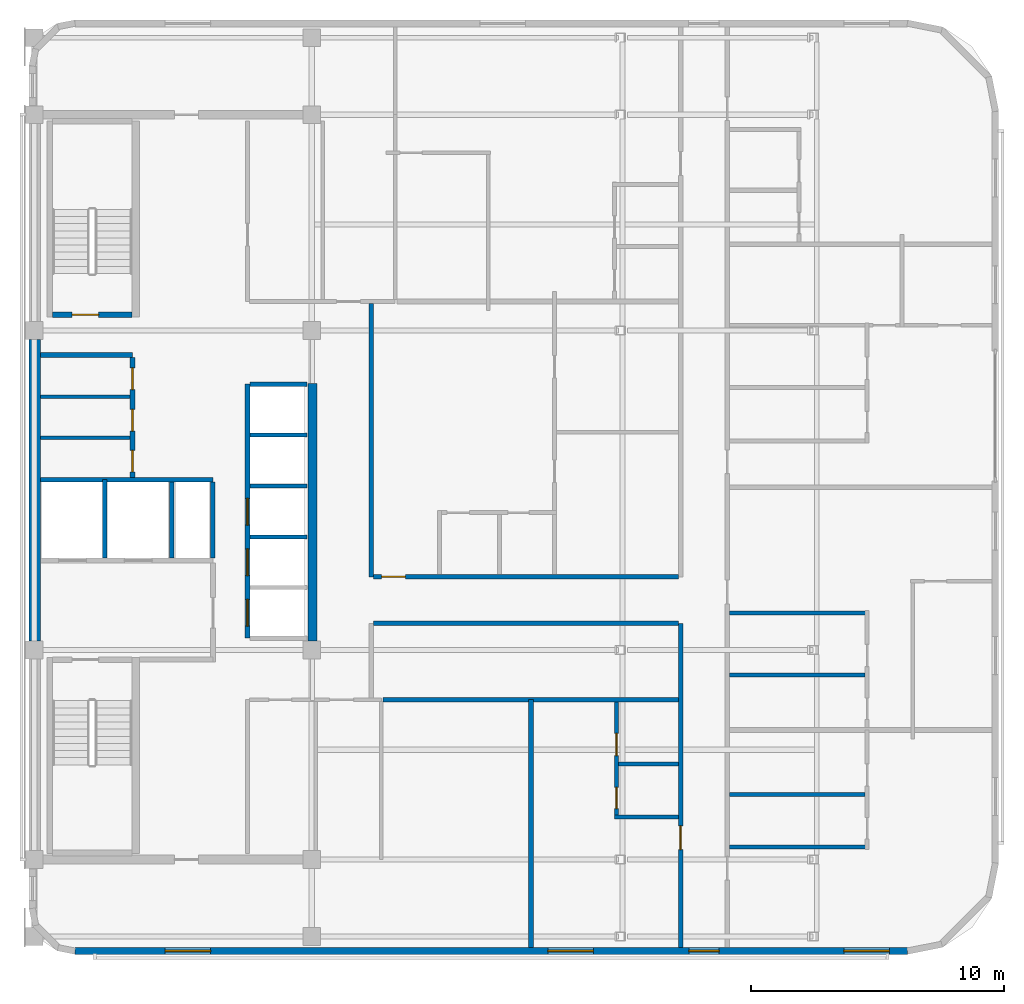
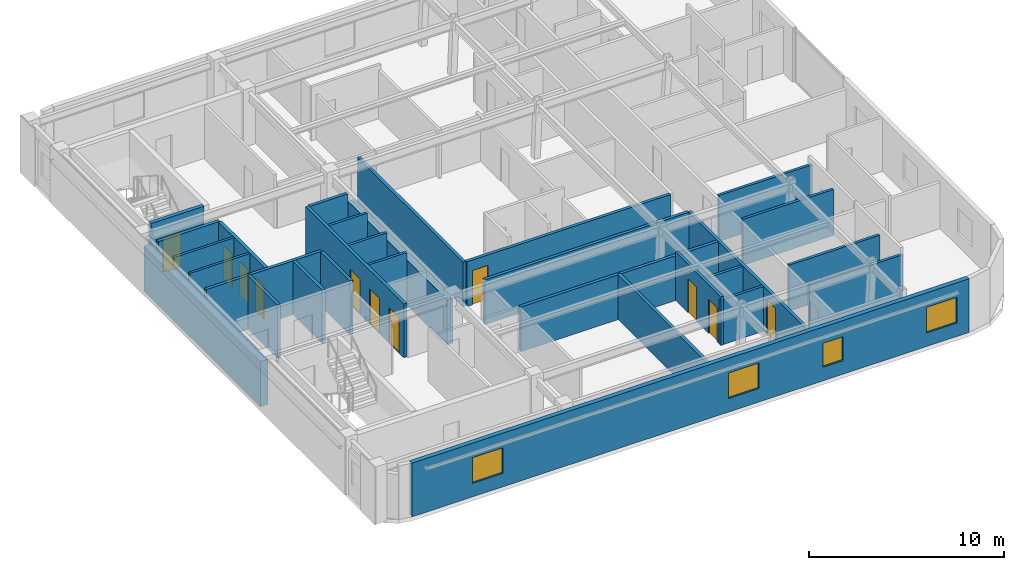
# One storey, part 4 of 10: 30 walls, 11 doors, 4 windows, 15 openings.
"""IFC4 building model written with IfcOpenShell, lengths in metres."""

from ifc_helpers import new_model, si_unit, direction, frame, frame_2d, origin, place, context, subcontext, project, spatial, rectangle, extrude, material, layer, layer_set, type_object, element, fill, save


model = new_model("IFC4")

# Units and contexts
model_context = context("Model", 3, precision=1e-05, world=origin(), true_north=direction((0.0, 1.0)))
body_context = subcontext(model_context, "Body", "Model", "MODEL_VIEW")
ifc_project = project(units=[si_unit("LENGTHUNIT", "METRE"), si_unit("AREAUNIT", "SQUARE_METRE"), si_unit("VOLUMEUNIT", "CUBIC_METRE"), si_unit("PLANEANGLEUNIT", "RADIAN"), si_unit("MASSUNIT", "GRAM", prefix="KILO")], contexts=[model_context])

# Site, building, storey
site_placement = place(None, origin())
site = spatial("IfcSite", under=ifc_project, at=site_placement, CompositionType="ELEMENT")
building_placement = place(site_placement, origin())
building = spatial("IfcBuilding", under=site, at=building_placement, Name="Ochreholt Gables", CompositionType="ELEMENT")
storey_placement = place(building_placement, frame((0.0, 0.0, 213.0)))
storey = spatial("IfcBuildingStorey", under=building, at=storey_placement, Name="L55", CompositionType="ELEMENT", Elevation=213.0)

# Walls
ifc_material_1 = material(Name="Concrete 50 MPa", Category="concrete")
ifc_layer_1 = layer(ifc_material_1, 0.35009765625, Name="Concrete 50 MPa")
ifc_layer_set_1 = layer_set([ifc_layer_1], Name="Concrete 50 MPa")
wall_type_1 = type_object("IfcWallType", Name="WALL-CSW-350", PredefinedType="SHEAR", material=ifc_layer_set_1)
wall_1_placement = place(storey_placement, frame((35.22509765625, 17.89990234375, 0.0), z_axis=(0.0, 0.0, 1.0), x_axis=(0.0, 1.0, 0.0)))
element("IfcWall", 1, at=wall_1_placement, inside=storey, type_object=wall_type_1, Name="L55 Core Central-East Shear Wall", PredefinedType="SHEAR", context=body_context, shape_type="SweptSolid", body=[
    extrude(rectangle(XDim=10.2001953125, YDim=0.35009765625, at=frame_2d((5.10009765625, 0.0))), origin(), (0.0, 0.0, 1.0), 2.821044921875),
])
ifc_layer_2 = layer(ifc_material_1, 0.449951171875, Name="Concrete 50 MPa")
ifc_layer_set_2 = layer_set([ifc_layer_2], Name="Concrete 50 MPa")
wall_type_2 = type_object("IfcWallType", Name="WALL-CSW-EXT", PredefinedType="SHEAR", material=ifc_layer_set_2)
wall_2_placement = place(storey_placement, frame((24.22509765625, 17.89990234375, 0.0), z_axis=(0.0, 0.0, 1.0), x_axis=(0.0, 1.0, 0.0)))
element("IfcWall", 2, at=wall_2_placement, inside=storey, type_object=wall_type_2, Name="L55 Core West Shear Wall WM", PredefinedType="SHEAR", context=body_context, shape_type="SweptSolid", body=[
    extrude(rectangle(XDim=11.9501953125, YDim=0.449951171875, at=frame_2d((5.97509765625, 0.0))), origin(), (0.0, 0.0, 1.0), 2.821044921875),
])

# Wall, openings, windows
ifc_material_2 = material(Name="Precast concrete 40 MPa", Category="concrete")
ifc_layer_3 = layer(ifc_material_2, 0.27001953125, Name="Precast concrete 40 MPa")
ifc_layer_set_3 = layer_set([ifc_layer_3], Name="Precast concrete 40 MPa")
wall_type_3 = type_object("IfcWallType", Name="WALL-EXT-270", PredefinedType="SOLIDWALL", material=ifc_layer_set_3)
wall_3_placement = place(storey_placement, frame((25.820068359375, 5.635009765625, 0.0), z_axis=(0.0, 0.0, 1.0), x_axis=(1.0, 0.0, 0.0)))
wall_3 = element("IfcWall", 3, at=wall_3_placement, inside=storey, type_object=wall_type_3, Name="L55 South Exterior Wall", PredefinedType="SOLIDWALL", context=body_context, shape_type="SweptSolid", body=[
    extrude(rectangle(XDim=32.9599609375, YDim=0.27001953125, at=frame_2d((16.47998046875, 0.0))), origin(), (0.0, 0.0, 1.0), 3.360107421875),
])
opening_1_placement = place(wall_3_placement, frame((3.570068359375, 0.0, 0.85009765625)))
opening_1 = element("IfcOpeningElement", 4, at=opening_1_placement, cuts=wall_3, Name="Opening WN-1", PredefinedType="OPENING", context=body_context, shape_type="SweptSolid", body=[
    extrude(rectangle(XDim=1.800048828125, YDim=1.60009765625, at=frame_2d((0.89990234375, 0.800048828125))), frame((0.0, 0.14501953125, 0.0), z_axis=(0.0, -1.0, 0.0), x_axis=(1.0, 0.0, 0.0)), (0.0, 0.0, 1.0), 0.2900390625),
])
opening_2_placement = place(wall_3_placement, frame((18.724609375, 0.0, 0.85009765625)))
opening_2 = element("IfcOpeningElement", 5, at=opening_2_placement, cuts=wall_3, Name="Opening WN-1", PredefinedType="OPENING", context=body_context, shape_type="SweptSolid", body=[
    extrude(rectangle(XDim=1.800048828125, YDim=1.60009765625, at=frame_2d((0.89990234375, 0.800048828125))), frame((0.0, 0.14501953125, 0.0), z_axis=(0.0, -1.0, 0.0), x_axis=(1.0, 0.0, 0.0)), (0.0, 0.0, 1.0), 0.2900390625),
])
opening_3_placement = place(wall_3_placement, frame((24.304931640625, 0.0, 0.85009765625)))
opening_3 = element("IfcOpeningElement", 6, at=opening_3_placement, cuts=wall_3, Name="Opening WN-3", PredefinedType="OPENING", context=body_context, shape_type="SweptSolid", body=[
    extrude(rectangle(XDim=1.199951171875, YDim=1.5, at=frame_2d((0.60009765625, 0.75))), frame((0.0, 0.14501953125, 0.0), z_axis=(0.0, -1.0, 0.0), x_axis=(1.0, 0.0, 0.0)), (0.0, 0.0, 1.0), 0.2900390625),
])
opening_4_placement = place(wall_3_placement, frame((30.447509765625, 0.0, 0.85009765625)))
opening_4 = element("IfcOpeningElement", 7, at=opening_4_placement, cuts=wall_3, Name="Opening WN-1", PredefinedType="OPENING", context=body_context, shape_type="SweptSolid", body=[
    extrude(rectangle(XDim=1.800048828125, YDim=1.60009765625, at=frame_2d((0.89990234375, 0.800048828125))), frame((0.0, 0.14501953125, 0.0), z_axis=(0.0, -1.0, 0.0), x_axis=(1.0, 0.0, 0.0)), (0.0, 0.0, 1.0), 0.2900390625),
])
ifc_material_3 = material(Name="Triple-Glazed Thermally Broken Aluminium Window", Category="aluminium")
window_type_1 = type_object("IfcWindowType", Name="WIN-RES-1200", PartitioningType="SINGLE_PANEL", PredefinedType="WINDOW", material=ifc_material_3)
window_1_placement = place(opening_3_placement, origin())
window_1 = element("IfcWindow", 8, at=window_1_placement, inside=storey, type_object=window_type_1, Name="L55 Window W-EXT-S-L55-3", OverallHeight=1.5, OverallWidth=1.199951171875, PartitioningType="SINGLE_PANEL", PredefinedType="WINDOW", context=body_context, shape_type="SweptSolid", body=[
    extrude(rectangle(XDim=1.199951171875, YDim=1.5, at=frame_2d((0.60009765625, 0.75))), frame((0.0, 0.030029296875, 0.0), z_axis=(0.0, -1.0, 0.0), x_axis=(1.0, 0.0, 0.0)), (0.0, 0.0, 1.0), 0.06005859375),
])
fill(opening_3, window_1)
window_type_2 = type_object("IfcWindowType", Name="WIN-RES-1800", PartitioningType="SINGLE_PANEL", PredefinedType="WINDOW", material=ifc_material_3)
window_2_placement = place(opening_1_placement, origin())
window_2 = element("IfcWindow", 9, at=window_2_placement, inside=storey, type_object=window_type_2, Name="L55 Window W-EXT-S-L55-1", OverallHeight=1.60009765625, OverallWidth=1.800048828125, PartitioningType="SINGLE_PANEL", PredefinedType="WINDOW", context=body_context, shape_type="SweptSolid", body=[
    extrude(rectangle(XDim=1.800048828125, YDim=1.60009765625, at=frame_2d((0.89990234375, 0.800048828125))), frame((0.0, 0.030029296875, 0.0), z_axis=(0.0, -1.0, 0.0), x_axis=(1.0, 0.0, 0.0)), (0.0, 0.0, 1.0), 0.06005859375),
])
fill(opening_1, window_2)
window_3_placement = place(opening_2_placement, origin())
window_3 = element("IfcWindow", 10, at=window_3_placement, inside=storey, type_object=window_type_2, Name="L55 Window W-EXT-S-L55-2", OverallHeight=1.60009765625, OverallWidth=1.800048828125, PartitioningType="SINGLE_PANEL", PredefinedType="WINDOW", context=body_context, shape_type="SweptSolid", body=[
    extrude(rectangle(XDim=1.800048828125, YDim=1.60009765625, at=frame_2d((0.89990234375, 0.800048828125))), frame((0.0, 0.030029296875, 0.0), z_axis=(0.0, -1.0, 0.0), x_axis=(1.0, 0.0, 0.0)), (0.0, 0.0, 1.0), 0.06005859375),
])
fill(opening_2, window_3)
window_4_placement = place(opening_4_placement, origin())
window_4 = element("IfcWindow", 11, at=window_4_placement, inside=storey, type_object=window_type_2, Name="L55 Window W-EXT-S-L55-4", OverallHeight=1.60009765625, OverallWidth=1.800048828125, PartitioningType="SINGLE_PANEL", PredefinedType="WINDOW", context=body_context, shape_type="SweptSolid", body=[
    extrude(rectangle(XDim=1.800048828125, YDim=1.60009765625, at=frame_2d((0.89990234375, 0.800048828125))), frame((0.0, 0.030029296875, 0.0), z_axis=(0.0, -1.0, 0.0), x_axis=(1.0, 0.0, 0.0)), (0.0, 0.0, 1.0), 0.06005859375),
])
fill(opening_4, window_4)

# Wall
ifc_material_4 = material(Name="Concrete 40 MPa", Category="concrete")
ifc_layer_4 = layer(ifc_material_4, 0.199951171875, Name="Concrete 40 MPa")
ifc_layer_set_4 = layer_set([ifc_layer_4], Name="Concrete 40 MPa")
wall_type_4 = type_object("IfcWallType", Name="WALL-INT-CF200", PredefinedType="STANDARD", material=ifc_layer_set_4)
wall_4_placement = place(storey_placement, frame((24.449951171875, 29.239990234375, 0.0), z_axis=(0.0, 0.0, 1.0), x_axis=(1.0, 0.0, 0.0)))
element("IfcWall", 12, at=wall_4_placement, inside=storey, type_object=wall_type_4, Name="L55 Interior Wall WI-SRVN-L55", PredefinedType="STANDARD", context=body_context, shape_type="SweptSolid", body=[
    extrude(rectangle(XDim=3.650146484375, YDim=0.199951171875, at=frame_2d((1.8251953125, 0.0))), origin(), (0.0, 0.0, 1.0), 3.360107421875),
])

# Wall, openings, doors
wall_5_placement = place(storey_placement, frame((28.10009765625, 24.389892578125, 0.0), z_axis=(0.0, 0.0, 1.0), x_axis=(0.0, 1.0, 0.0)))
wall_5 = element("IfcWall", 13, at=wall_5_placement, inside=storey, type_object=wall_type_4, Name="L55 Interior Wall WI-SRVE-L55", PredefinedType="STANDARD", context=body_context, shape_type="SweptSolid", body=[
    extrude(rectangle(XDim=4.75, YDim=0.199951171875, at=frame_2d((2.375, 0.0))), origin(), (0.0, 0.0, 1.0), 3.360107421875),
])
opening_5_placement = place(wall_5_placement, frame((0.2099609375, 0.0, 0.0)))
opening_5 = element("IfcOpeningElement", 14, at=opening_5_placement, cuts=wall_5, Name="Opening D-SV2", PredefinedType="OPENING", context=body_context, shape_type="SweptSolid", body=[
    extrude(rectangle(XDim=0.860107421875, YDim=2.10009765625, at=frame_2d((0.43017578125, 1.050048828125))), frame((0.0, 0.10986328125, 0.0), z_axis=(0.0, -1.0, 0.0), x_axis=(1.0, 0.0, 0.0)), (0.0, 0.0, 1.0), 0.219970703125),
])
opening_6_placement = place(wall_5_placement, frame((1.830078125, 0.0, 0.0)))
opening_6 = element("IfcOpeningElement", 15, at=opening_6_placement, cuts=wall_5, Name="Opening D-SV2", PredefinedType="OPENING", context=body_context, shape_type="SweptSolid", body=[
    extrude(rectangle(XDim=0.860107421875, YDim=2.10009765625, at=frame_2d((0.43017578125, 1.050048828125))), frame((0.0, 0.10986328125, 0.0), z_axis=(0.0, -1.0, 0.0), x_axis=(1.0, 0.0, 0.0)), (0.0, 0.0, 1.0), 0.219970703125),
])
opening_7_placement = place(wall_5_placement, frame((3.469970703125, 0.0, 0.0)))
opening_7 = element("IfcOpeningElement", 16, at=opening_7_placement, cuts=wall_5, Name="Opening D-SV2", PredefinedType="OPENING", context=body_context, shape_type="SweptSolid", body=[
    extrude(rectangle(XDim=0.860107421875, YDim=2.10009765625, at=frame_2d((0.43017578125, 1.050048828125))), frame((0.0, 0.10986328125, 0.0), z_axis=(0.0, -1.0, 0.0), x_axis=(1.0, 0.0, 0.0)), (0.0, 0.0, 1.0), 0.219970703125),
])
ifc_material_5 = material(Name="Hollow Metal Steel", Category="steel")
door_type_1 = type_object("IfcDoorType", Name="DR-INT-SRV860", OperationType="NOTDEFINED", PredefinedType="DOOR", material=ifc_material_5)
door_1_placement = place(opening_5_placement, origin())
door_1 = element("IfcDoor", 17, at=door_1_placement, inside=storey, type_object=door_type_1, Name="L55 Door D-SRV1-L55", OperationType="SINGLE_SWING_LEFT", OverallHeight=2.10009765625, OverallWidth=0.860107421875, PredefinedType="DOOR", context=body_context, shape_type="SweptSolid", body=[
    extrude(rectangle(XDim=0.860107421875, YDim=2.10009765625, at=frame_2d((0.43017578125, 1.050048828125))), frame((0.0, 0.02490234375, 0.0), z_axis=(0.0, -1.0, 0.0), x_axis=(1.0, 0.0, 0.0)), (0.0, 0.0, 1.0), 0.050048828125),
])
fill(opening_5, door_1)
door_2_placement = place(opening_6_placement, origin())
door_2 = element("IfcDoor", 18, at=door_2_placement, inside=storey, type_object=door_type_1, Name="L55 Door D-SRV2-L55", OperationType="SINGLE_SWING_RIGHT", OverallHeight=2.10009765625, OverallWidth=0.860107421875, PredefinedType="DOOR", context=body_context, shape_type="SweptSolid", body=[
    extrude(rectangle(XDim=0.860107421875, YDim=2.10009765625, at=frame_2d((0.43017578125, 1.050048828125))), frame((0.0, 0.02490234375, 0.0), z_axis=(0.0, -1.0, 0.0), x_axis=(1.0, 0.0, 0.0)), (0.0, 0.0, 1.0), 0.050048828125),
])
fill(opening_6, door_2)
door_3_placement = place(opening_7_placement, origin())
door_3 = element("IfcDoor", 19, at=door_3_placement, inside=storey, type_object=door_type_1, Name="L55 Door D-SRV3-L55", OperationType="SINGLE_SWING_LEFT", OverallHeight=2.10009765625, OverallWidth=0.860107421875, PredefinedType="DOOR", context=body_context, shape_type="SweptSolid", body=[
    extrude(rectangle(XDim=0.860107421875, YDim=2.10009765625, at=frame_2d((0.43017578125, 1.050048828125))), frame((0.0, 0.02490234375, 0.0), z_axis=(0.0, -1.0, 0.0), x_axis=(1.0, 0.0, 0.0)), (0.0, 0.0, 1.0), 0.050048828125),
])
fill(opening_7, door_3)

# Wall
ifc_material_6 = material(Name="Fire-Rated Gypsum Acoustic Partition", Category="gypsum")
ifc_layer_5 = layer(ifc_material_6, 0.179931640625, Name="Fire-Rated Gypsum Acoustic Partition")
ifc_layer_set_5 = layer_set([ifc_layer_5], Name="Fire-Rated Gypsum Acoustic Partition")
wall_type_5 = type_object("IfcWallType", Name="WALL-INT-CR180", PredefinedType="STANDARD", material=ifc_layer_set_5)
wall_6_placement = place(storey_placement, frame((37.550048828125, 20.449951171875, 0.0), z_axis=(0.0, 0.0, 1.0), x_axis=(0.0, 1.0, 0.0)))
element("IfcWall", 20, at=wall_6_placement, inside=storey, type_object=wall_type_5, Name="L55 Interior Wall WI-C3CE2-L55", PredefinedType="STANDARD", context=body_context, shape_type="SweptSolid", body=[
    extrude(rectangle(XDim=10.82763671875, YDim=0.179931640625, at=frame_2d((5.413818359375, 0.0))), origin(), (0.0, 0.0, 1.0), 2.802978515625),
])

# Wall, opening, door
wall_7_placement = place(storey_placement, frame((49.800048828125, 5.77001953125, 0.0), z_axis=(0.0, 0.0, 1.0), x_axis=(0.0, 1.0, 0.0)))
wall_7 = element("IfcWall", 21, at=wall_7_placement, inside=storey, type_object=wall_type_5, Name="L55 Interior Wall WI-C3GW0-L55", PredefinedType="STANDARD", context=body_context, shape_type="SweptSolid", body=[
    extrude(rectangle(XDim=12.830078125, YDim=0.179931640625, at=frame_2d((6.4150390625, 0.0))), origin(), (0.0, 0.0, 1.0), 2.802978515625),
])
opening_8_placement = place(wall_7_placement, frame((3.8701171875, 0.0, 0.0)))
opening_8 = element("IfcOpeningElement", 22, at=opening_8_placement, cuts=wall_7, Name="Opening D-UN2", PredefinedType="OPENING", context=body_context, shape_type="SweptSolid", body=[
    extrude(rectangle(XDim=0.93994140625, YDim=2.14990234375, at=frame_2d((0.469970703125, 1.074951171875))), frame((0.0, 0.099853515625, 0.0), z_axis=(0.0, -1.0, 0.0), x_axis=(1.0, 0.0, 0.0)), (0.0, 0.0, 1.0), 0.199951171875),
])
ifc_material_7 = material(Name="Engineered Oak Timber", Category="wood")
door_type_2 = type_object("IfcDoorType", Name="DR-INT-UNT940", OperationType="NOTDEFINED", PredefinedType="DOOR", material=ifc_material_7)
door_4_placement = place(opening_8_placement, origin())
door_4 = element("IfcDoor", 23, at=door_4_placement, inside=storey, type_object=door_type_2, Name="L55 Door D-U-L55SM1-ENT", OperationType="SINGLE_SWING_RIGHT", OverallHeight=2.14990234375, OverallWidth=0.93994140625, PredefinedType="DOOR", context=body_context, shape_type="SweptSolid", body=[
    extrude(rectangle(XDim=0.93994140625, YDim=2.14990234375, at=frame_2d((0.469970703125, 1.074951171875))), frame((0.0, 0.02490234375, 0.0), z_axis=(0.0, -1.0, 0.0), x_axis=(1.0, 0.0, 0.0)), (0.0, 0.0, 1.0), 0.050048828125),
])
fill(opening_8, door_4)

# Wall
wall_8_placement = place(storey_placement, frame((37.639892578125, 18.60009765625, 0.0), z_axis=(0.0, 0.0, 1.0), x_axis=(1.0, 0.0, 0.0)))
element("IfcWall", 24, at=wall_8_placement, inside=storey, type_object=wall_type_5, Name="L55 Interior Wall WI-C3BRS1-L55", PredefinedType="STANDARD", context=body_context, shape_type="SweptSolid", body=[
    extrude(rectangle(XDim=12.070068359375, YDim=0.179931640625, at=frame_2d((6.03515625, 0.0))), origin(), (0.0, 0.0, 1.0), 2.802978515625),
])

# Wall, opening, door
wall_9_placement = place(storey_placement, frame((37.639892578125, 20.449951171875, 0.0), z_axis=(0.0, 0.0, 1.0), x_axis=(1.0, 0.0, 0.0)))
wall_9 = element("IfcWall", 25, at=wall_9_placement, inside=storey, type_object=wall_type_5, Name="L55 Interior Wall WI-C3BRN1-L55", PredefinedType="STANDARD", context=body_context, shape_type="SweptSolid", body=[
    extrude(rectangle(XDim=12.070068359375, YDim=0.179931640625, at=frame_2d((6.03515625, 0.0))), origin(), (0.0, 0.0, 1.0), 2.802978515625),
])
opening_9_placement = place(wall_9_placement, frame((0.320068359375, 0.0, 0.0)))
opening_9 = element("IfcOpeningElement", 26, at=opening_9_placement, cuts=wall_9, Name="Opening D-UN2", PredefinedType="OPENING", context=body_context, shape_type="SweptSolid", body=[
    extrude(rectangle(XDim=0.93994140625, YDim=2.14990234375, at=frame_2d((0.469970703125, 1.074951171875))), frame((0.0, 0.099853515625, 0.0), z_axis=(0.0, -1.0, 0.0), x_axis=(1.0, 0.0, 0.0)), (0.0, 0.0, 1.0), 0.199951171875),
])
door_5_placement = place(opening_9_placement, origin())
door_5 = element("IfcDoor", 27, at=door_5_placement, inside=storey, type_object=door_type_2, Name="L55 Door D-U-L55NM1-ENT", OperationType="SINGLE_SWING_RIGHT", OverallHeight=2.14990234375, OverallWidth=0.93994140625, PredefinedType="DOOR", context=body_context, shape_type="SweptSolid", body=[
    extrude(rectangle(XDim=0.93994140625, YDim=2.14990234375, at=frame_2d((0.469970703125, 1.074951171875))), frame((0.0, 0.02490234375, 0.0), z_axis=(0.0, -1.0, 0.0), x_axis=(1.0, 0.0, 0.0)), (0.0, 0.0, 1.0), 0.050048828125),
])
fill(opening_9, door_5)

# Walls
ifc_material_8 = material(Name="Double-Stud Acoustic Demising Wall", Category="gypsum")
ifc_layer_6 = layer(ifc_material_8, 0.18505859375, Name="Double-Stud Acoustic Demising Wall")
ifc_layer_set_6 = layer_set([ifc_layer_6], Name="Double-Stud Acoustic Demising Wall")
wall_type_6 = type_object("IfcWallType", Name="WALL-INT-DM185", PredefinedType="PARTITIONING", material=ifc_layer_set_6)
wall_10_placement = place(storey_placement, frame((43.875, 5.77001953125, 0.0), z_axis=(0.0, 0.0, 1.0), x_axis=(0.0, 1.0, 0.0)))
element("IfcWall", 28, at=wall_10_placement, inside=storey, type_object=wall_type_6, Name="L55 Interior Wall WI-C3SMX-L55", PredefinedType="PARTITIONING", context=body_context, shape_type="SweptSolid", body=[
    extrude(rectangle(XDim=9.81005859375, YDim=0.18505859375, at=frame_2d((4.905029296875, 0.0))), origin(), (0.0, 0.0, 1.0), 2.802978515625),
])
wall_11_placement = place(storey_placement, frame((38.0224609375, 15.580078125, 0.0), z_axis=(0.0, 0.0, 1.0), x_axis=(1.0, 0.0, 0.0)))
element("IfcWall", 29, at=wall_11_placement, inside=storey, type_object=wall_type_6, Name="L55 Interior Wall WI-C3SMY-L55", PredefinedType="PARTITIONING", context=body_context, shape_type="SweptSolid", body=[
    extrude(rectangle(XDim=11.6875, YDim=0.18505859375, at=frame_2d((5.84375, 0.0))), origin(), (0.0, 0.0, 1.0), 2.802978515625),
])
ifc_material_9 = material(Name="Moisture-Resistant Plumbing Chase Wall", Category="gypsum")
ifc_layer_7 = layer(ifc_material_9, 0.159912109375, Name="Moisture-Resistant Plumbing Chase Wall")
ifc_layer_set_7 = layer_set([ifc_layer_7], Name="Moisture-Resistant Plumbing Chase Wall")
wall_type_7 = type_object("IfcWallType", Name="WALL-INT-PL160", PredefinedType="PLUMBINGWALL", material=ifc_layer_set_7)
wall_12_placement = place(storey_placement, frame((51.739990234375, 9.739990234375, 0.0), z_axis=(0.0, 0.0, 1.0), x_axis=(1.0, 0.0, 0.0)))
element("IfcWall", 30, at=wall_12_placement, inside=storey, type_object=wall_type_7, Name="L55 Interior Wall WU-L55E1-WYS", PredefinedType="PLUMBINGWALL", context=body_context, shape_type="SweptSolid", body=[
    extrude(rectangle(XDim=5.530029296875, YDim=0.159912109375, at=frame_2d((2.76513671875, 0.0))), origin(), (0.0, 0.0, 1.0), 2.87890625),
])
wall_13_placement = place(storey_placement, frame((51.739990234375, 11.8330078125, 0.0), z_axis=(0.0, 0.0, 1.0), x_axis=(1.0, 0.0, 0.0)))
element("IfcWall", 31, at=wall_13_placement, inside=storey, type_object=wall_type_7, Name="L55 Interior Wall WU-L55E1-WM", PredefinedType="PLUMBINGWALL", context=body_context, shape_type="SweptSolid", body=[
    extrude(rectangle(XDim=5.3701171875, YDim=0.159912109375, at=frame_2d((2.68505859375, 0.0))), origin(), (0.0, 0.0, 1.0), 2.87890625),
])
wall_14_placement = place(storey_placement, frame((51.739990234375, 19.02001953125, 0.0), z_axis=(0.0, 0.0, 1.0), x_axis=(1.0, 0.0, 0.0)))
element("IfcWall", 32, at=wall_14_placement, inside=storey, type_object=wall_type_7, Name="L55 Interior Wall WU-L55E2-WYN", PredefinedType="PLUMBINGWALL", context=body_context, shape_type="SweptSolid", body=[
    extrude(rectangle(XDim=5.530029296875, YDim=0.159912109375, at=frame_2d((2.76513671875, 0.0))), origin(), (0.0, 0.0, 1.0), 2.87890625),
])
wall_15_placement = place(storey_placement, frame((51.739990234375, 16.56298828125, 0.0), z_axis=(0.0, 0.0, 1.0), x_axis=(1.0, 0.0, 0.0)))
element("IfcWall", 33, at=wall_15_placement, inside=storey, type_object=wall_type_7, Name="L55 Interior Wall WU-L55E2-WM", PredefinedType="PLUMBINGWALL", context=body_context, shape_type="SweptSolid", body=[
    extrude(rectangle(XDim=5.3701171875, YDim=0.159912109375, at=frame_2d((2.68505859375, 0.0))), origin(), (0.0, 0.0, 1.0), 2.87890625),
])
wall_16_placement = place(storey_placement, frame((47.179931640625, 10.93994140625, 0.0), z_axis=(0.0, 0.0, 1.0), x_axis=(1.0, 0.0, 0.0)))
element("IfcWall", 34, at=wall_16_placement, inside=storey, type_object=wall_type_7, Name="L55 Interior Wall WU-L55SM1-WYS", PredefinedType="PLUMBINGWALL", context=body_context, shape_type="SweptSolid", body=[
    extrude(rectangle(XDim=2.530029296875, YDim=0.159912109375, at=frame_2d((1.26513671875, 0.0))), origin(), (0.0, 0.0, 1.0), 2.802978515625),
])

# Wall, openings, doors
wall_17_placement = place(storey_placement, frame((47.260009765625, 10.85009765625, 0.0), z_axis=(0.0, 0.0, 1.0), x_axis=(0.0, 1.0, 0.0)))
wall_17 = element("IfcWall", 35, at=wall_17_placement, inside=storey, type_object=wall_type_7, Name="L55 Interior Wall WU-L55SM1-WX", PredefinedType="PLUMBINGWALL", context=body_context, shape_type="SweptSolid", body=[
    extrude(rectangle(XDim=4.637451171875, YDim=0.159912109375, at=frame_2d((2.31884765625, 0.0))), origin(), (0.0, 0.0, 1.0), 3.0390625),
])
opening_10_placement = place(wall_17_placement, frame((0.419921875, 0.0, 0.0)))
opening_10 = element("IfcOpeningElement", 36, at=opening_10_placement, cuts=wall_17, Name="Opening D-BT2", PredefinedType="OPENING", context=body_context, shape_type="SweptSolid", body=[
    extrude(rectangle(XDim=0.840087890625, YDim=2.1201171875, at=frame_2d((0.419921875, 1.06005859375))), frame((0.0, 0.08984375, 0.0), z_axis=(0.0, -1.0, 0.0), x_axis=(1.0, 0.0, 0.0)), (0.0, 0.0, 1.0), 0.179931640625),
])
opening_11_placement = place(wall_17_placement, frame((2.512939453125, 0.0, 0.0)))
opening_11 = element("IfcOpeningElement", 37, at=opening_11_placement, cuts=wall_17, Name="Opening D-GN2", PredefinedType="OPENING", context=body_context, shape_type="SweptSolid", body=[
    extrude(rectangle(XDim=0.8798828125, YDim=2.1201171875, at=frame_2d((0.43994140625, 1.06005859375))), frame((0.0, 0.08984375, 0.0), z_axis=(0.0, -1.0, 0.0), x_axis=(1.0, 0.0, 0.0)), (0.0, 0.0, 1.0), 0.179931640625),
])
door_type_3 = type_object("IfcDoorType", Name="DR-INT-BTH840", OperationType="NOTDEFINED", PredefinedType="DOOR", material=ifc_material_7)
door_6_placement = place(opening_10_placement, origin())
door_6 = element("IfcDoor", 38, at=door_6_placement, inside=storey, type_object=door_type_3, Name="L55 Door D-U-L55SM1-BTH", OperationType="SINGLE_SWING_LEFT", OverallHeight=2.1201171875, OverallWidth=0.840087890625, PredefinedType="DOOR", context=body_context, shape_type="SweptSolid", body=[
    extrude(rectangle(XDim=0.840087890625, YDim=2.1201171875, at=frame_2d((0.419921875, 1.06005859375))), frame((0.0, 0.02490234375, 0.0), z_axis=(0.0, -1.0, 0.0), x_axis=(1.0, 0.0, 0.0)), (0.0, 0.0, 1.0), 0.050048828125),
])
fill(opening_10, door_6)
door_type_4 = type_object("IfcDoorType", Name="DR-INT-GEN880", OperationType="NOTDEFINED", PredefinedType="DOOR", material=ifc_material_7)
door_7_placement = place(opening_11_placement, origin())
door_7 = element("IfcDoor", 39, at=door_7_placement, inside=storey, type_object=door_type_4, Name="L55 Door D-U-L55SM1-KIT", OperationType="SINGLE_SWING_RIGHT", OverallHeight=2.1201171875, OverallWidth=0.8798828125, PredefinedType="DOOR", context=body_context, shape_type="SweptSolid", body=[
    extrude(rectangle(XDim=0.8798828125, YDim=2.1201171875, at=frame_2d((0.43994140625, 1.06005859375))), frame((0.0, 0.02490234375, 0.0), z_axis=(0.0, -1.0, 0.0), x_axis=(1.0, 0.0, 0.0)), (0.0, 0.0, 1.0), 0.050048828125),
])
fill(opening_11, door_7)

# Walls
wall_18_placement = place(storey_placement, frame((47.340087890625, 13.032958984375, 0.0), z_axis=(0.0, 0.0, 1.0), x_axis=(1.0, 0.0, 0.0)))
element("IfcWall", 40, at=wall_18_placement, inside=storey, type_object=wall_type_7, Name="L55 Interior Wall WU-L55SM1-WM", PredefinedType="PLUMBINGWALL", context=body_context, shape_type="SweptSolid", body=[
    extrude(rectangle(XDim=2.369873046875, YDim=0.159912109375, at=frame_2d((1.18505859375, 0.0))), origin(), (0.0, 0.0, 1.0), 2.802978515625),
])
ifc_material_10 = material(Name="Lightweight Stud Partition", Category="gypsum")
ifc_layer_8 = layer(ifc_material_10, 0.14501953125, Name="Lightweight Stud Partition")
ifc_layer_set_8 = layer_set([ifc_layer_8], Name="Lightweight Stud Partition")
wall_type_8 = type_object("IfcWallType", Name="WALL-INT-PT145", PredefinedType="PARTITIONING", material=ifc_layer_set_8)
for number, where, z_axis, x_axis, name in (
    (41, (24.449951171875, 25.949951171875, 0.0), (0.0, 0.0, 1.0), (1.0, 0.0, 0.0), "L55 Interior Wall WI-SRVP1-L55"),
    (42, (24.449951171875, 27.580078125, 0.0), (0.0, 0.0, 1.0), (1.0, 0.0, 0.0), "L55 Interior Wall WI-SRVP2-L55"),
):
    element("IfcWall", number, at=place(storey_placement, frame(where, z_axis=z_axis, x_axis=x_axis)), inside=storey, type_object=wall_type_8, Name=name, PredefinedType="PARTITIONING", context=body_context, shape_type="SweptSolid", body=[
        extrude(rectangle(XDim=3.550048828125, YDim=0.14501953125, at=frame_2d((1.77490234375, 0.0))), origin(), (0.0, 0.0, 1.0), 3.360107421875),
    ])
ifc_material_11 = material(Name="Gypsum Shaftliner and Steel Stud", Category="steel")
ifc_layer_9 = layer(ifc_material_11, 0.14990234375, Name="Gypsum Shaftliner and Steel Stud")
ifc_layer_set_9 = layer_set([ifc_layer_9], Name="Gypsum Shaftliner and Steel Stud")
wall_type_9 = type_object("IfcWallType", Name="WALL-INT-SH150", PredefinedType="STANDARD", material=ifc_layer_set_9)
for number, where, z_axis, x_axis, name in (
    (43, (32.739990234375, 22.02001953125, 0.0), (0.0, 0.0, 1.0), (1.0, 0.0, 0.0), "L55 Interior Wall WI-LFHE-DH2-L55"),
    (44, (32.739990234375, 24.050048828125, 0.0), (0.0, 0.0, 1.0), (1.0, 0.0, 0.0), "L55 Interior Wall WI-LFHE-DHE-L55"),
    (45, (32.739990234375, 26.070068359375, 0.0), (0.0, 0.0, 1.0), (1.0, 0.0, 0.0), "L55 Interior Wall WI-LFHE-DEX1-L55"),
):
    element("IfcWall", number, at=place(storey_placement, frame(where, z_axis=z_axis, x_axis=x_axis)), inside=storey, type_object=wall_type_9, Name=name, PredefinedType="STANDARD", context=body_context, shape_type="SweptSolid", body=[
        extrude(rectangle(XDim=2.260009765625, YDim=0.14990234375, at=frame_2d((1.1298828125, 0.0))), origin(), (0.0, 0.0, 1.0), 3.360107421875),
    ])
ifc_layer_10 = layer(ifc_material_11, 0.179931640625, Name="Gypsum Shaftliner and Steel Stud")
ifc_layer_set_10 = layer_set([ifc_layer_10], Name="Gypsum Shaftliner and Steel Stud")
wall_type_10 = type_object("IfcWallType", Name="WALL-INT-SH180", PredefinedType="STANDARD", material=ifc_layer_set_10)
wall_19_placement = place(storey_placement, frame((27.0, 21.18994140625, 0.0), z_axis=(0.0, 0.0, 1.0), x_axis=(0.0, 1.0, 0.0)))
element("IfcWall", 46, at=wall_19_placement, inside=storey, type_object=wall_type_10, Name="L55 Interior Wall WI-FFDIV-L55", PredefinedType="STANDARD", context=body_context, shape_type="SweptSolid", body=[
    extrude(rectangle(XDim=3.110107421875, YDim=0.179931640625, at=frame_2d((1.55517578125, 0.0))), origin(), (0.0, 0.0, 1.0), 3.360107421875),
])
wall_20_placement = place(storey_placement, frame((24.449951171875, 24.300048828125, 0.0), z_axis=(0.0, 0.0, 1.0), x_axis=(1.0, 0.0, 0.0)))
element("IfcWall", 47, at=wall_20_placement, inside=storey, type_object=wall_type_10, Name="L55 Interior Wall WI-FFBK-L55", PredefinedType="STANDARD", context=body_context, shape_type="SweptSolid", body=[
    extrude(rectangle(XDim=6.830078125, YDim=0.179931640625, at=frame_2d((3.4150390625, 0.0))), origin(), (0.0, 0.0, 1.0), 3.360107421875),
])
for number, where, z_axis, x_axis, name in (
    (48, (29.64990234375, 21.18994140625, 0.0), (0.0, 0.0, 1.0), (0.0, 1.0, 0.0), "L55 Interior Wall WI-FFSH-L55"),
    (49, (31.280029296875, 21.18994140625, 0.0), (0.0, 0.0, 1.0), (0.0, 1.0, 0.0), "L55 Interior Wall WI-RSE-L55"),
):
    element("IfcWall", number, at=place(storey_placement, frame(where, z_axis=z_axis, x_axis=x_axis)), inside=storey, type_object=wall_type_10, Name=name, PredefinedType="STANDARD", context=body_context, shape_type="SweptSolid", body=[
        extrude(rectangle(XDim=3.02001953125, YDim=0.179931640625, at=frame_2d((1.510009765625, 0.0))), origin(), (0.0, 0.0, 1.0), 3.360107421875),
    ])

# Wall, openings, doors
wall_21_placement = place(storey_placement, frame((32.64990234375, 18.02001953125, 0.0), z_axis=(0.0, 0.0, 1.0), x_axis=(0.0, 1.0, 0.0)))
wall_21 = element("IfcWall", 50, at=wall_21_placement, inside=storey, type_object=wall_type_10, Name="L55 Interior Wall WI-LFHE-FR-L55", PredefinedType="STANDARD", context=body_context, shape_type="SweptSolid", body=[
    extrude(rectangle(XDim=10.06005859375, YDim=0.179931640625, at=frame_2d((5.030029296875, 0.0))), origin(), (0.0, 0.0, 1.0), 3.360107421875),
])
opening_12_placement = place(wall_21_placement, frame((0.47998046875, 0.0, 0.0)))
opening_12 = element("IfcOpeningElement", 51, at=opening_12_placement, cuts=wall_21, Name="Opening LD-PX", PredefinedType="OPENING", context=body_context, shape_type="SweptSolid", body=[
    extrude(rectangle(XDim=1.050048828125, YDim=2.199951171875, at=frame_2d((0.52490234375, 1.10009765625))), frame((0.0, 0.099853515625, 0.0), z_axis=(0.0, -1.0, 0.0), x_axis=(1.0, 0.0, 0.0)), (0.0, 0.0, 1.0), 0.199951171875),
])
opening_13_placement = place(wall_21_placement, frame((2.47998046875, 0.0, 0.0)))
opening_13 = element("IfcOpeningElement", 52, at=opening_13_placement, cuts=wall_21, Name="Opening LD-PX", PredefinedType="OPENING", context=body_context, shape_type="SweptSolid", body=[
    extrude(rectangle(XDim=1.050048828125, YDim=2.199951171875, at=frame_2d((0.52490234375, 1.10009765625))), frame((0.0, 0.099853515625, 0.0), z_axis=(0.0, -1.0, 0.0), x_axis=(1.0, 0.0, 0.0)), (0.0, 0.0, 1.0), 0.199951171875),
])
opening_14_placement = place(wall_21_placement, frame((4.47998046875, 0.0, 0.0)))
opening_14 = element("IfcOpeningElement", 53, at=opening_14_placement, cuts=wall_21, Name="Opening LD-PX", PredefinedType="OPENING", context=body_context, shape_type="SweptSolid", body=[
    extrude(rectangle(XDim=1.050048828125, YDim=2.199951171875, at=frame_2d((0.52490234375, 1.10009765625))), frame((0.0, 0.099853515625, 0.0), z_axis=(0.0, -1.0, 0.0), x_axis=(1.0, 0.0, 0.0)), (0.0, 0.0, 1.0), 0.199951171875),
])
ifc_material_12 = material(Name="Stainless Steel", Category="steel")
door_type_5 = type_object("IfcDoorType", Name="DR-LFT-PX1050", OperationType="NOTDEFINED", PredefinedType="DOOR", material=ifc_material_12)
door_8_placement = place(opening_12_placement, origin())
door_8 = element("IfcDoor", 54, at=door_8_placement, inside=storey, type_object=door_type_5, Name="L55 Door LD-LF-H1-L55", OperationType="SLIDING_TO_LEFT", OverallHeight=2.199951171875, OverallWidth=1.050048828125, PredefinedType="DOOR", context=body_context, shape_type="SweptSolid", body=[
    extrude(rectangle(XDim=1.050048828125, YDim=2.199951171875, at=frame_2d((0.52490234375, 1.10009765625))), frame((0.0, 0.02490234375, 0.0), z_axis=(0.0, -1.0, 0.0), x_axis=(1.0, 0.0, 0.0)), (0.0, 0.0, 1.0), 0.050048828125),
])
fill(opening_12, door_8)
door_9_placement = place(opening_13_placement, origin())
door_9 = element("IfcDoor", 55, at=door_9_placement, inside=storey, type_object=door_type_5, Name="L55 Door LD-LF-H2-L55", OperationType="SLIDING_TO_LEFT", OverallHeight=2.199951171875, OverallWidth=1.050048828125, PredefinedType="DOOR", context=body_context, shape_type="SweptSolid", body=[
    extrude(rectangle(XDim=1.050048828125, YDim=2.199951171875, at=frame_2d((0.52490234375, 1.10009765625))), frame((0.0, 0.02490234375, 0.0), z_axis=(0.0, -1.0, 0.0), x_axis=(1.0, 0.0, 0.0)), (0.0, 0.0, 1.0), 0.050048828125),
])
fill(opening_13, door_9)
door_10_placement = place(opening_14_placement, origin())
door_10 = element("IfcDoor", 56, at=door_10_placement, inside=storey, type_object=door_type_5, Name="L55 Door LD-LF-H3-L55", OperationType="SLIDING_TO_LEFT", OverallHeight=2.199951171875, OverallWidth=1.050048828125, PredefinedType="DOOR", context=body_context, shape_type="SweptSolid", body=[
    extrude(rectangle(XDim=1.050048828125, YDim=2.199951171875, at=frame_2d((0.52490234375, 1.10009765625))), frame((0.0, 0.02490234375, 0.0), z_axis=(0.0, -1.0, 0.0), x_axis=(1.0, 0.0, 0.0)), (0.0, 0.0, 1.0), 0.050048828125),
])
fill(opening_14, door_10)

# Wall
wall_22_placement = place(storey_placement, frame((32.739990234375, 28.080078125, 0.0), z_axis=(0.0, 0.0, 1.0), x_axis=(1.0, 0.0, 0.0)))
element("IfcWall", 57, at=wall_22_placement, inside=storey, type_object=wall_type_10, Name="L55 Interior Wall WI-LFHE-N-L55", PredefinedType="STANDARD", context=body_context, shape_type="SweptSolid", body=[
    extrude(rectangle(XDim=2.260009765625, YDim=0.179931640625, at=frame_2d((1.1298828125, 0.0))), origin(), (0.0, 0.0, 1.0), 3.360107421875),
])

# Wall, opening, door
ifc_layer_11 = layer(ifc_material_1, 0.219970703125, Name="Concrete 50 MPa")
ifc_layer_set_11 = layer_set([ifc_layer_11], Name="Concrete 50 MPa")
wall_type_11 = type_object("IfcWallType", Name="WALL-STW-220", PredefinedType="SHEAR", material=ifc_layer_set_11)
wall_23_placement = place(storey_placement, frame((24.919921875, 30.830078125, 0.0), z_axis=(0.0, 0.0, 1.0), x_axis=(1.0, 0.0, 0.0)))
wall_23 = element("IfcWall", 58, at=wall_23_placement, inside=storey, type_object=wall_type_11, Name="L55 Exit Stair 2 South Wall", PredefinedType="SHEAR", context=body_context, shape_type="SweptSolid", body=[
    extrude(rectangle(XDim=3.16015625, YDim=0.219970703125, at=frame_2d((1.580078125, 0.0))), origin(), (0.0, 0.0, 1.0), 3.360107421875),
])
opening_15_placement = place(wall_23_placement, frame((0.780029296875, 0.0, 0.0)))
opening_15 = element("IfcOpeningElement", 59, at=opening_15_placement, cuts=wall_23, Name="Opening D-STC", PredefinedType="OPENING", context=body_context, shape_type="SweptSolid", body=[
    extrude(rectangle(XDim=1.050048828125, YDim=2.14990234375, at=frame_2d((0.52490234375, 1.074951171875))), frame((0.0, 0.119873046875, 0.0), z_axis=(0.0, -1.0, 0.0), x_axis=(1.0, 0.0, 0.0)), (0.0, 0.0, 1.0), 0.239990234375),
])
door_type_6 = type_object("IfcDoorType", Name="DR-INT-ST1050", OperationType="NOTDEFINED", PredefinedType="DOOR", material=ifc_material_5)
door_11_placement = place(opening_15_placement, origin())
door_11 = element("IfcDoor", 60, at=door_11_placement, inside=storey, type_object=door_type_6, Name="L55 Door D-ST2-L55", OperationType="SINGLE_SWING_RIGHT", OverallHeight=2.14990234375, OverallWidth=1.050048828125, PredefinedType="DOOR", context=body_context, shape_type="SweptSolid", body=[
    extrude(rectangle(XDim=1.050048828125, YDim=2.14990234375, at=frame_2d((0.52490234375, 1.074951171875))), frame((0.0, 0.02490234375, 0.0), z_axis=(0.0, -1.0, 0.0), x_axis=(1.0, 0.0, 0.0)), (0.0, 0.0, 1.0), 0.050048828125),
])
fill(opening_15, door_11)

save(model, "model.ifc")
